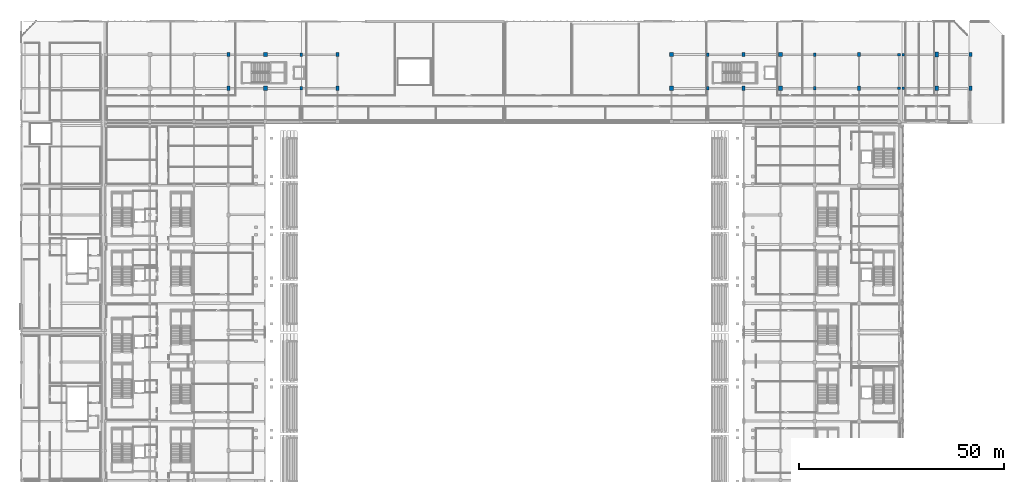
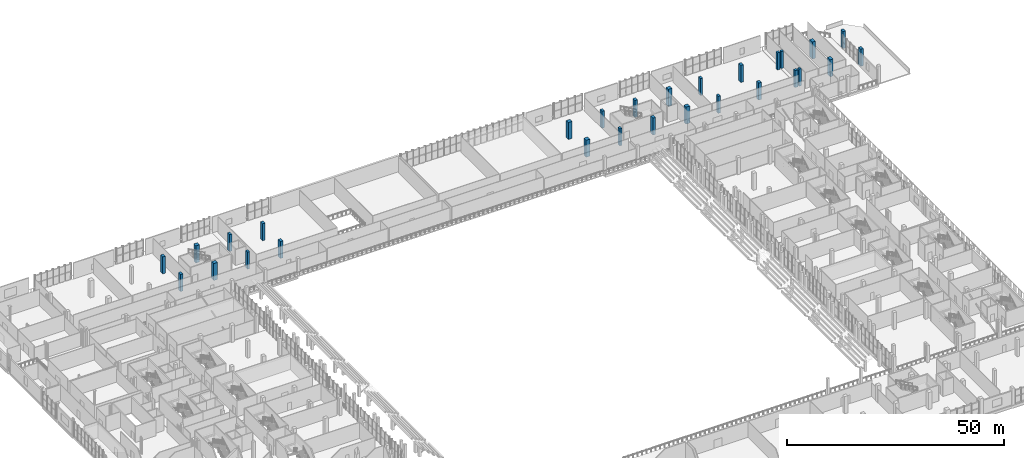
# One storey, part 11 of 142: 28 columns.
"""IFC4 building model written with IfcOpenShell, lengths in metres."""

from ifc_helpers import new_model, si_unit, direction, frame, origin, origin_2d, place, context, subcontext, project, spatial, rectangle, extrude, material, material_profile, profile_set, type_object, element, save


model = new_model("IFC4")

# Units and contexts
model_context = context("Model", 3, precision=1e-05, world=origin(), true_north=direction((0.0, 1.0)))
body_context = subcontext(model_context, "Body", "Model", "MODEL_VIEW")
ifc_project = project(units=[si_unit("LENGTHUNIT", "METRE"), si_unit("AREAUNIT", "SQUARE_METRE"), si_unit("VOLUMEUNIT", "CUBIC_METRE"), si_unit("PLANEANGLEUNIT", "RADIAN"), si_unit("MASSUNIT", "GRAM", prefix="KILO")], contexts=[model_context])

# Site, building, storey
site_placement = place(None, origin())
site = spatial("IfcSite", under=ifc_project, at=site_placement, CompositionType="ELEMENT")
building_placement = place(site_placement, origin())
building = spatial("IfcBuilding", under=site, at=building_placement, Name="Koshinbarg Plaza Stadium", CompositionType="ELEMENT")
storey_placement = place(building_placement, frame((0.0, 0.0, 10.199951171875)))
storey = spatial("IfcBuildingStorey", under=building, at=storey_placement, Name="L02", CompositionType="ELEMENT", Elevation=10.199951171875)

# Columns
ifc_material = material(Name="Concrete C40/50", Category="concrete")
ifc_material_profile_1 = material_profile(ifc_material, rectangle(XDim=0.64990234375, YDim=0.64990234375, at=origin_2d()), Name="RC 650x650")
ifc_profile_set_1 = profile_set([ifc_material_profile_1], Name="Concrete C40/50")
column_type_1 = type_object("IfcColumnType", Name="COL-RC-05", PredefinedType="COLUMN", material=ifc_profile_set_1)
for number, where, z_axis, x_axis, name in (
    (1, (219.39990234375, 135.60009765625, 0.0), (0.0, 0.0, 1.0), (1.0, 0.0, 0.0), "L02 column 22/T"),
    (2, (219.39990234375, 143.800048828125, 0.0), (0.0, 0.0, 1.0), (1.0, 0.0, 0.0), "L02 column 22/U"),
):
    element("IfcColumn", number, at=place(storey_placement, frame(where, z_axis=z_axis, x_axis=x_axis)), inside=storey, type_object=column_type_1, Name=name, PredefinedType="COLUMN", context=body_context, shape_type="SweptSolid", body=[
        extrude(rectangle(XDim=0.64990234375, YDim=0.64990234375, at=origin_2d()), origin(), (0.0, 0.0, 1.0), 4.800048828125),
    ])
ifc_material_profile_2 = material_profile(ifc_material, rectangle(XDim=0.699951171875, YDim=0.699951171875, at=origin_2d()), Name="RC 700x700")
ifc_profile_set_2 = profile_set([ifc_material_profile_2], Name="Concrete C40/50")
column_type_2 = type_object("IfcColumnType", Name="COL-RC-06", PredefinedType="COLUMN", material=ifc_profile_set_2)
for number, where, z_axis, x_axis, name in (
    (3, (218.39990234375, 135.60009765625, 0.0), (0.0, 0.0, 1.0), (1.0, 0.0, 0.0), "L02 column 21/T"),
    (4, (218.39990234375, 143.800048828125, 0.0), (0.0, 0.0, 1.0), (1.0, 0.0, 0.0), "L02 column 21/U"),
):
    element("IfcColumn", number, at=place(storey_placement, frame(where, z_axis=z_axis, x_axis=x_axis)), inside=storey, type_object=column_type_2, Name=name, PredefinedType="COLUMN", context=body_context, shape_type="SweptSolid", body=[
        extrude(rectangle(XDim=0.699951171875, YDim=0.699951171875, at=origin_2d()), origin(), (0.0, 0.0, 1.0), 4.800048828125),
    ])
ifc_material_profile_3 = material_profile(ifc_material, rectangle(XDim=1.0, YDim=1.0, at=origin_2d()), Name="RC 1000x1000")
ifc_profile_set_3 = profile_set([ifc_material_profile_3], Name="Concrete C40/50")
column_type_3 = type_object("IfcColumnType", Name="COL-RC-11", PredefinedType="COLUMN", material=ifc_profile_set_3)
for number, where, z_axis, x_axis, name in (
    (5, (162.800048828125, 135.60009765625, 0.0), (0.0, 0.0, 1.0), (1.0, 0.0, 0.0), "L02 column 15/T"),
    (6, (162.800048828125, 143.800048828125, 0.0), (0.0, 0.0, 1.0), (1.0, 0.0, 0.0), "L02 column 15/U"),
    (7, (189.39990234375, 135.60009765625, 0.0), (0.0, 0.0, 1.0), (1.0, 0.0, 0.0), "L02 column 18/T"),
    (8, (189.39990234375, 143.800048828125, 0.0), (0.0, 0.0, 1.0), (1.0, 0.0, 0.0), "L02 column 18/U"),
    (9, (63.60009765625, 135.60009765625, 0.0), (0.0, 0.0, 1.0), (1.0, 0.0, 0.0), "L02 column 9/T"),
    (10, (63.60009765625, 143.800048828125, 0.0), (0.0, 0.0, 1.0), (1.0, 0.0, 0.0), "L02 column 9/U"),
):
    element("IfcColumn", number, at=place(storey_placement, frame(where, z_axis=z_axis, x_axis=x_axis)), inside=storey, type_object=column_type_3, Name=name, PredefinedType="COLUMN", context=body_context, shape_type="SweptSolid", body=[
        extrude(rectangle(XDim=1.0, YDim=1.0, at=origin_2d()), origin(), (0.0, 0.0, 1.0), 4.800048828125),
    ])
ifc_material_profile_4 = material_profile(ifc_material, rectangle(XDim=0.60009765625, YDim=0.89990234375, at=origin_2d()), Name="RC 600x900")
ifc_profile_set_4 = profile_set([ifc_material_profile_4], Name="Concrete C40/50")
column_type_4 = type_object("IfcColumnType", Name="COL-RC-12", PredefinedType="COLUMN", material=ifc_profile_set_4)
for number, where, z_axis, x_axis, name in (
    (11, (72.39990234375, 135.60009765625, 0.0), (0.0, 0.0, 1.0), (1.0, 0.0, 0.0), "L02 column 10/T"),
    (12, (72.39990234375, 143.800048828125, 0.0), (0.0, 0.0, 1.0), (1.0, 0.0, 0.0), "L02 column 10/U"),
    (13, (171.60009765625, 135.60009765625, 0.0), (0.0, 0.0, 1.0), (1.0, 0.0, 0.0), "L02 column 16/T"),
    (14, (171.60009765625, 143.800048828125, 0.0), (0.0, 0.0, 1.0), (1.0, 0.0, 0.0), "L02 column 16/U"),
    (15, (197.800048828125, 135.60009765625, 0.0), (0.0, 0.0, 1.0), (1.0, 0.0, 0.0), "L02 column 19/T"),
    (16, (197.800048828125, 143.800048828125, 0.0), (0.0, 0.0, 1.0), (1.0, 0.0, 0.0), "L02 column 19/U"),
):
    element("IfcColumn", number, at=place(storey_placement, frame(where, z_axis=z_axis, x_axis=x_axis)), inside=storey, type_object=column_type_4, Name=name, PredefinedType="COLUMN", context=body_context, shape_type="SweptSolid", body=[
        extrude(rectangle(XDim=0.60009765625, YDim=0.89990234375, at=origin_2d()), origin(), (0.0, 0.0, 1.0), 4.800048828125),
    ])
ifc_material_profile_5 = material_profile(ifc_material, rectangle(XDim=0.699951171875, YDim=1.0, at=origin_2d()), Name="RC 700x1000")
ifc_profile_set_5 = profile_set([ifc_material_profile_5], Name="Concrete C40/50")
column_type_5 = type_object("IfcColumnType", Name="COL-RC-13", PredefinedType="COLUMN", material=ifc_profile_set_5)
for number, where, z_axis, x_axis, name in (
    (17, (81.199951171875, 135.60009765625, 0.0), (0.0, 0.0, 1.0), (1.0, 0.0, 0.0), "L02 column 11/T"),
    (18, (81.199951171875, 143.800048828125, 0.0), (0.0, 0.0, 1.0), (1.0, 0.0, 0.0), "L02 column 11/U"),
    (19, (180.39990234375, 135.60009765625, 0.0), (0.0, 0.0, 1.0), (1.0, 0.0, 0.0), "L02 column 17/T"),
    (20, (180.39990234375, 143.800048828125, 0.0), (0.0, 0.0, 1.0), (1.0, 0.0, 0.0), "L02 column 17/U"),
    (21, (208.60009765625, 135.60009765625, 0.0), (0.0, 0.0, 1.0), (1.0, 0.0, 0.0), "L02 column 20/T"),
    (22, (208.60009765625, 143.800048828125, 0.0), (0.0, 0.0, 1.0), (1.0, 0.0, 0.0), "L02 column 20/U"),
    (23, (235.800048828125, 135.60009765625, 0.0), (0.0, 0.0, 1.0), (1.0, 0.0, 0.0), "L02 column 24/T"),
    (24, (235.800048828125, 143.800048828125, 0.0), (0.0, 0.0, 1.0), (1.0, 0.0, 0.0), "L02 column 24/U"),
    (25, (54.60009765625, 135.60009765625, 0.0), (0.0, 0.0, 1.0), (1.0, 0.0, 0.0), "L02 column 8/T"),
    (26, (54.60009765625, 143.800048828125, 0.0), (0.0, 0.0, 1.0), (1.0, 0.0, 0.0), "L02 column 8/U"),
):
    element("IfcColumn", number, at=place(storey_placement, frame(where, z_axis=z_axis, x_axis=x_axis)), inside=storey, type_object=column_type_5, Name=name, PredefinedType="COLUMN", context=body_context, shape_type="SweptSolid", body=[
        extrude(rectangle(XDim=0.699951171875, YDim=1.0, at=origin_2d()), origin(), (0.0, 0.0, 1.0), 4.800048828125),
    ])
ifc_material_profile_6 = material_profile(ifc_material, rectangle(XDim=0.800048828125, YDim=1.199951171875, at=origin_2d()), Name="RC 800x1200")
ifc_profile_set_6 = profile_set([ifc_material_profile_6], Name="Concrete C40/50")
column_type_6 = type_object("IfcColumnType", Name="COL-RC-14", PredefinedType="COLUMN", material=ifc_profile_set_6)
for number, where, z_axis, x_axis, name in (
    (27, (227.60009765625, 135.60009765625, 0.0), (0.0, 0.0, 1.0), (1.0, 0.0, 0.0), "L02 column 23/T"),
    (28, (227.60009765625, 143.800048828125, 0.0), (0.0, 0.0, 1.0), (1.0, 0.0, 0.0), "L02 column 23/U"),
):
    element("IfcColumn", number, at=place(storey_placement, frame(where, z_axis=z_axis, x_axis=x_axis)), inside=storey, type_object=column_type_6, Name=name, PredefinedType="COLUMN", context=body_context, shape_type="SweptSolid", body=[
        extrude(rectangle(XDim=0.800048828125, YDim=1.199951171875, at=origin_2d()), origin(), (0.0, 0.0, 1.0), 4.800048828125),
    ])

save(model, "model.ifc")
